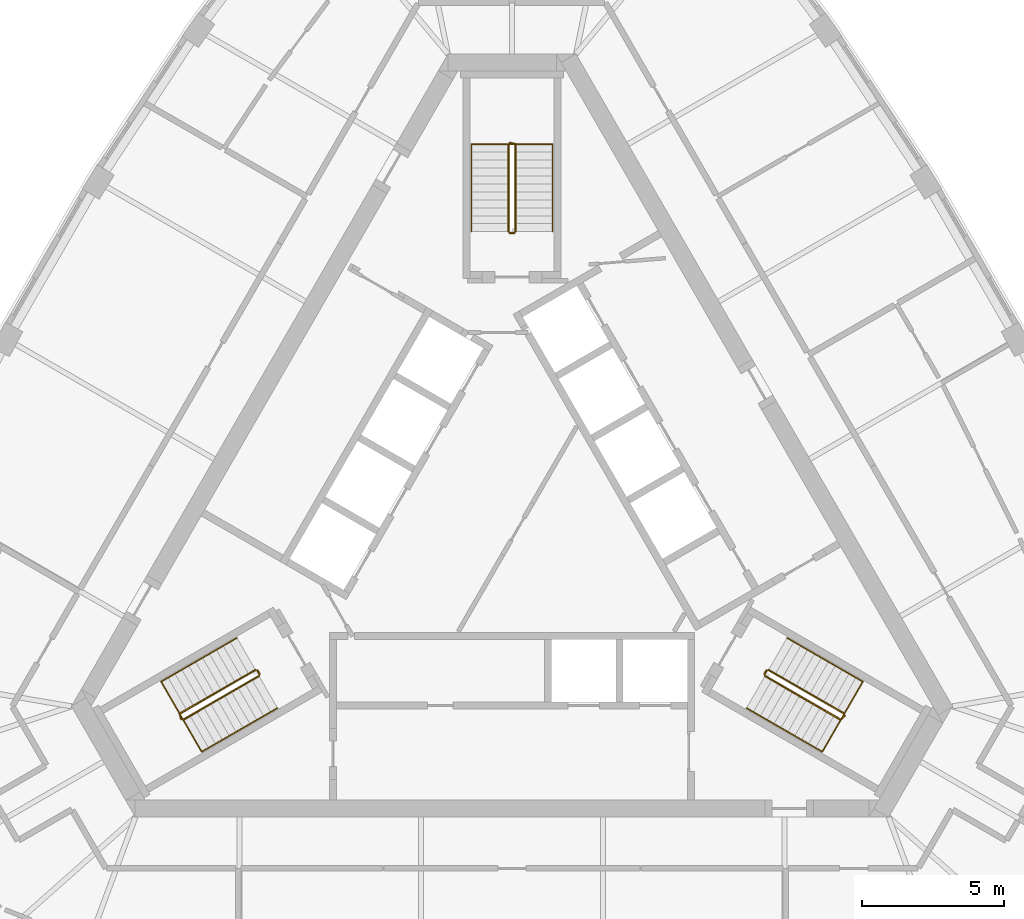
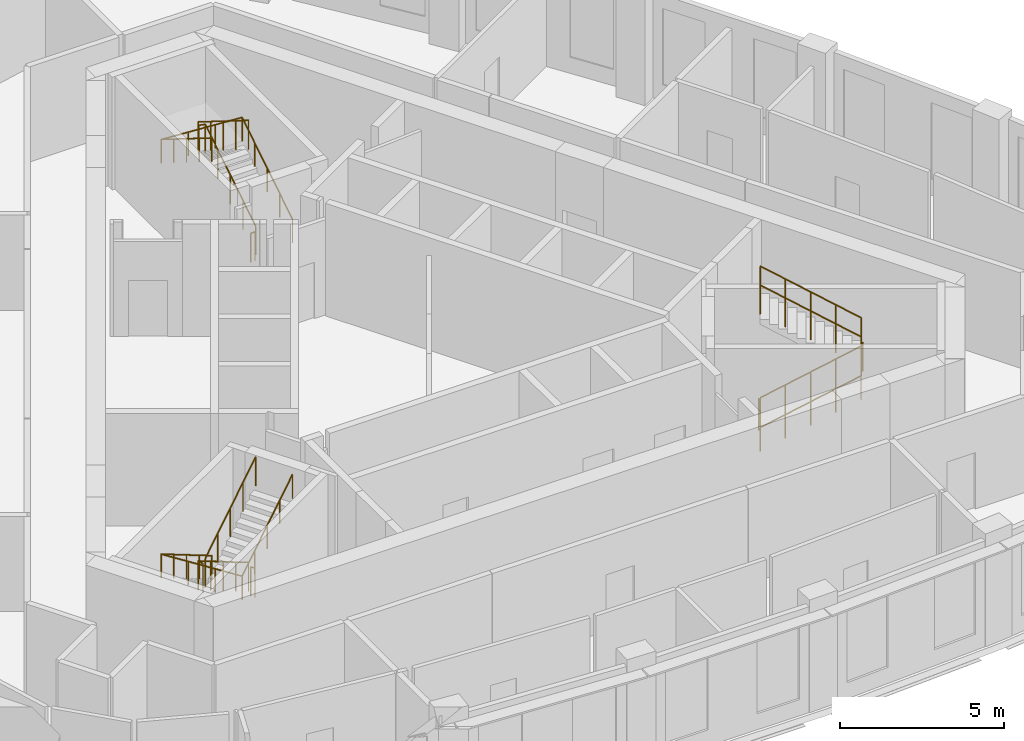
# One storey, part 10 of 10: 12 railings.
"""IFC4 building model written with IfcOpenShell, lengths in metres."""

import ifcopenshell
import ifcopenshell.guid

model = None  # the IFC model being written
_history = None  # IfcOwnerHistory: only IFC2X3 demands one
_inside = {}  # id of a spatial element -> (the spatial element, [elements in it])
_under = {}  # id of a project, library or spatial element -> (it, [spatial elements below it])
_declared = {}  # id of a project -> (the project, [libraries it declares])
_typed = {}  # id of a type object -> (the type object, [elements of that type])
_made_of = {}  # id of a material, layer set ... -> (it, [elements and type objects made of it])


def new_model(schema):
    """Start an empty IFC model of exactly this schema.

    Asked for "IFC4X3", IfcOpenShell would pick the latest addendum, in which some entities
    have other attributes; the version numbers below select the first issue.
    IFC2X3 requires an IfcOwnerHistory on every rooted entity: one is made here for all.
    """
    global model, _history
    if schema == "IFC4X3":
        model = ifcopenshell.file(schema_version=(4, 3, 0, 0))
    else:
        model = ifcopenshell.file(schema=schema)
    _inside.clear()
    _under.clear()
    _declared.clear()
    _typed.clear()
    _made_of.clear()
    _history = None
    if model.schema == "IFC2X3":
        org = make("IfcOrganization", Name="unknown")
        user = make(
            "IfcPersonAndOrganization",
            ThePerson=make("IfcPerson", FamilyName="unknown"),
            TheOrganization=org,
        )
        app = make(
            "IfcApplication",
            ApplicationDeveloper=org,
            Version="unknown",
            ApplicationFullName="unknown",
            ApplicationIdentifier="unknown",
        )
        _history = make(
            "IfcOwnerHistory",
            OwningUser=user,
            OwningApplication=app,
            ChangeAction="ADDED",
            CreationDate=0,
        )
    return model


def make(cls, **values):
    """One entity of the class cls with the attributes given. An attribute that is None is left unset."""
    return model.create_entity(
        cls, **{name: value for name, value in values.items() if value is not None}
    )


def rooted(cls, **values):
    """An entity with a GlobalId (a new one), such as an element, a storey or a relation."""
    return make(cls, GlobalId=ifcopenshell.guid.new(), OwnerHistory=_history, **values)


def si_unit(unit_type, name, prefix=None):
    """IfcSIUnit, for example si_unit("LENGTHUNIT", "METRE", prefix="MILLI")."""
    return make("IfcSIUnit", UnitType=unit_type, Prefix=prefix, Name=name)


def assignment(units):
    """IfcUnitAssignment: the units of a project."""
    return None if units is None else make("IfcUnitAssignment", Units=units)


def point(xyz):
    """IfcCartesianPoint."""
    return None if xyz is None else make("IfcCartesianPoint", Coordinates=xyz)


def direction(xyz):
    """IfcDirection."""
    return None if xyz is None else make("IfcDirection", DirectionRatios=xyz)


def frame(location, z_axis=None, x_axis=None):
    """IfcAxis2Placement3D, a coordinate frame: its origin and axes. An axis left out is left unset."""
    return make(
        "IfcAxis2Placement3D",
        Location=point(location),
        Axis=direction(z_axis),
        RefDirection=direction(x_axis),
    )


def frame_2d(location, x_axis=None):
    """IfcAxis2Placement2D, a coordinate frame in the plane: its origin and x axis."""
    return make(
        "IfcAxis2Placement2D", Location=point(location), RefDirection=direction(x_axis)
    )


def origin():
    """The frame at (0, 0, 0) with its axes left unset."""
    return frame((0.0, 0.0, 0.0))


def origin_2d():
    """The frame at (0, 0) in the plane with its x axis left unset."""
    return frame_2d((0.0, 0.0))


def place(relative_to, where):
    """IfcLocalPlacement: puts the frame where relative to a parent placement (None: the world)."""
    return make(
        "IfcLocalPlacement", PlacementRelTo=relative_to, RelativePlacement=where
    )


def context(
    kind, dimensions, precision=None, world=None, true_north=None, identifier=None
):
    """IfcGeometricRepresentationContext, for example the 3D "Model" context."""
    return make(
        "IfcGeometricRepresentationContext",
        ContextIdentifier=identifier,
        ContextType=kind,
        CoordinateSpaceDimension=dimensions,
        Precision=precision,
        WorldCoordinateSystem=world,
        TrueNorth=true_north,
    )


def subcontext(parent, identifier, kind, view, scale=None):
    """IfcGeometricRepresentationSubContext, for example "Body" below "Model"."""
    return make(
        "IfcGeometricRepresentationSubContext",
        ContextIdentifier=identifier,
        ContextType=kind,
        ParentContext=parent,
        TargetScale=scale,
        TargetView=view,
    )


def project(units=None, contexts=None):
    """IfcProject with its units and contexts."""
    return rooted(
        "IfcProject",
        Name="project",
        RepresentationContexts=contexts,
        UnitsInContext=assignment(units),
    )


def spatial(cls, under=None, at=None, **own):
    """A site, building, storey or space (cls), placed at a placement, below another one or the project."""
    s = rooted(cls, ObjectPlacement=at, **own)
    if under is not None:
        _under.setdefault(under.id(), (under, []))[1].append(s)
    return s


def profile(cls, at=None, kind="AREA", **sizes):
    """A parametric profile (cls). Its sizes go by their IFC names, for example OverallWidth=200.0."""
    return make(cls, ProfileType=kind, Position=at, **sizes)


def circle(**sizes):
    """IfcCircleProfileDef."""
    return profile("IfcCircleProfileDef", **sizes)


def extrude(swept, where, along, depth):
    """IfcExtrudedAreaSolid: the profile swept, set in the frame where, extruded along a direction by depth."""
    return make(
        "IfcExtrudedAreaSolid",
        SweptArea=swept,
        Position=where,
        ExtrudedDirection=direction(along),
        Depth=depth,
    )


def shape(context_of_items, identifier, shape_type, items):
    """IfcShapeRepresentation: the items that make up one representation, for example the "Body"."""
    return make(
        "IfcShapeRepresentation",
        ContextOfItems=context_of_items,
        RepresentationIdentifier=identifier,
        RepresentationType=shape_type,
        Items=items,
    )


def material(Name=None, Category=None):
    """IfcMaterial."""
    return make("IfcMaterial", Name=Name, Category=Category)


def made_of(thing, what):
    """Note that an element or type object is made of a material, layer set ...; save() writes the relation."""
    if what is not None:
        _made_of.setdefault(what.id(), (what, []))[1].append(thing)
    return thing


def type_object(cls, material=None, **own):
    """A type object (cls), such as IfcWallType, which elements share."""
    return made_of(rooted(cls, **own), material)


def element(
    cls,
    number,
    at=None,
    inside=None,
    cuts=None,
    type_object=None,
    material=None,
    context=None,
    identifier="Body",
    shape_type=None,
    held_by="IfcProductDefinitionShape",
    body=None,
    shapes=None,
    **own,
):
    """One element of the class cls, such as IfcWall. Its Tag is "e" and its number.

    at: its placement. inside: the storey or other place that contains it. cuts: it is an
    opening in that element (IfcRelVoidsElement). A single representation is given by context,
    identifier, shape_type and body (its items); several are given by shapes. held_by: the class
    of the entity that holds the representations. save() writes the other relations.
    """
    e = rooted(cls, Tag="e%d" % number, ObjectPlacement=at, **own)
    if body is not None:
        shapes = [shape(context, identifier, shape_type, body)]
    if shapes is not None:
        e.Representation = make(held_by, Representations=shapes)
    if inside is not None:
        _inside.setdefault(inside.id(), (inside, []))[1].append(e)
    if cuts is not None:
        rooted(
            "IfcRelVoidsElement", RelatingBuildingElement=cuts, RelatedOpeningElement=e
        )
    if type_object is not None:
        _typed.setdefault(type_object.id(), (type_object, []))[1].append(e)
    return made_of(e, material)


def aggregate(whole, parts):
    """IfcRelAggregates: a whole, such as a stair, and the parts it consists of."""
    return rooted("IfcRelAggregates", RelatingObject=whole, RelatedObjects=parts)


def save(model, path):
    """Write the relations noted so far, then the file.

    IfcRelAggregates (storeys below a building ...), IfcRelContainedInSpatialStructure (elements
    in a storey), IfcRelDefinesByType, IfcRelAssociatesMaterial and IfcRelDeclares: one each for
    every whole, place, type object, material and project.
    """
    for whole, parts in _under.values():
        aggregate(whole, parts)
    for where, things in _inside.values():
        rooted(
            "IfcRelContainedInSpatialStructure",
            RelatedElements=things,
            RelatingStructure=where,
        )
    for kind, things in _typed.values():
        rooted("IfcRelDefinesByType", RelatedObjects=things, RelatingType=kind)
    for what, things in _made_of.values():
        rooted("IfcRelAssociatesMaterial", RelatedObjects=things, RelatingMaterial=what)
    for by, libraries in _declared.values():
        rooted("IfcRelDeclares", RelatingContext=by, RelatedDefinitions=libraries)
    model.write(path)


model = new_model("IFC4")

# Units and contexts
model_context = context("Model", 3, precision=1e-05, world=origin(), true_north=direction((0.0, 1.0)))
body_context = subcontext(model_context, "Body", "Model", "MODEL_VIEW")
ifc_project = project(units=[si_unit("LENGTHUNIT", "METRE"), si_unit("AREAUNIT", "SQUARE_METRE"), si_unit("VOLUMEUNIT", "CUBIC_METRE"), si_unit("PLANEANGLEUNIT", "RADIAN"), si_unit("MASSUNIT", "GRAM", prefix="KILO")], contexts=[model_context])

# Site, building, storey
site_placement = place(None, origin())
site = spatial("IfcSite", under=ifc_project, at=site_placement, CompositionType="ELEMENT")
building_placement = place(site_placement, origin())
building = spatial("IfcBuilding", under=site, at=building_placement, Name="Mestral Congress Tower", CompositionType="ELEMENT")
storey_placement = place(building_placement, frame((0.0, 0.0, 313.199951171875)))
storey = spatial("IfcBuildingStorey", under=building, at=storey_placement, Name="L73", CompositionType="ELEMENT", Elevation=313.199951171875)

# Railings
ifc_material_1 = material(Name="Steel balustrade", Category="steel")
railing_type_1 = type_object("IfcRailingType", Name="Stair guard 1100", PredefinedType="GUARDRAIL", material=ifc_material_1)
railing_1_placement = place(storey_placement, frame((8.90087890625, -5.283203125, 0.175048828125)))
element("IfcRailing", 1, at=railing_1_placement, inside=storey, type_object=railing_type_1, Name="L73 ST1 stair guard 1", PredefinedType="GUARDRAIL", context=body_context, shape_type="SweptSolid", body=[
    extrude(circle(Radius=0.02392578125, at=origin_2d()), frame((0.0, 0.0, 1.076171875), z_axis=(0.734364028329, -0.424015404183, 0.530019255228), x_axis=(0.500026652407, 0.866010015463, 0.0)), (0.0, 0.0, 1.0), 3.632080078125),
    extrude(circle(Radius=0.02392578125, at=origin_2d()), frame((2.667236328125, -1.5400390625, 3.0009765625), z_axis=(0.695164929852, 0.718850276695, 0.0), x_axis=(-0.718850276695, 0.695164929852, 0.0)), (0.0, 0.0, 1.0), 0.2060546875),
    extrude(circle(Radius=0.02099609375, at=origin_2d()), origin(), (0.0, 0.0, 1.0), 1.052001953125),
    extrude(circle(Radius=0.02099609375, at=origin_2d()), frame((0.666748046875, -0.385009765625, 0.481201171875)), (0.0, 0.0, 1.0), 1.052001953125),
    extrude(circle(Radius=0.02099609375, at=origin_2d()), frame((1.33349609375, -0.77001953125, 0.96240234375)), (0.0, 0.0, 1.0), 1.052001953125),
    extrude(circle(Radius=0.02099609375, at=origin_2d()), frame((2.00048828125, -1.155029296875, 1.44384765625)), (0.0, 0.0, 1.0), 1.052001953125),
    extrude(circle(Radius=0.02099609375, at=origin_2d()), frame((2.667236328125, -1.5400390625, 1.925048828125)), (0.0, 0.0, 1.0), 1.052001953125),
    extrude(circle(Radius=0.02099609375, at=origin_2d()), frame((2.810546875, -1.391845703125, 1.925048828125)), (0.0, 0.0, 1.0), 1.052001953125),
])
railing_2_placement = place(storey_placement, frame((11.693115234375, -6.606689453125, 2.275146484375)))
element("IfcRailing", 2, at=railing_2_placement, inside=storey, type_object=railing_type_1, Name="L73 ST1 stair guard 2", PredefinedType="GUARDRAIL", context=body_context, shape_type="SweptSolid", body=[
    extrude(circle(Radius=0.02392578125, at=origin_2d()), frame((0.0, 0.0, 1.076171875), z_axis=(-0.734390191396, 0.42403051051, 0.529970917068), x_axis=(-0.500026652407, -0.866010015463, 0.0)), (0.0, 0.0, 1.0), 3.6318359375),
    extrude(circle(Radius=0.02099609375, at=origin_2d()), origin(), (0.0, 0.0, 1.0), 1.052001953125),
    extrude(circle(Radius=0.02099609375, at=origin_2d()), frame((-0.666748046875, 0.385009765625, 0.481201171875)), (0.0, 0.0, 1.0), 1.052001953125),
    extrude(circle(Radius=0.02099609375, at=origin_2d()), frame((-1.33349609375, 0.77001953125, 0.96240234375)), (0.0, 0.0, 1.0), 1.052001953125),
    extrude(circle(Radius=0.02099609375, at=origin_2d()), frame((-2.00048828125, 1.155029296875, 1.443603515625)), (0.0, 0.0, 1.0), 1.052001953125),
    extrude(circle(Radius=0.02099609375, at=origin_2d()), frame((-2.667236328125, 1.5400390625, 1.9248046875)), (0.0, 0.0, 1.0), 1.052001953125),
])
railing_3_placement = place(storey_placement, frame((8.882568359375, -5.21484375, 0.0)))
element("IfcRailing", 3, at=railing_3_placement, inside=storey, type_object=railing_type_1, Name="L73 ST1 stair guard 3", PredefinedType="GUARDRAIL", context=body_context, shape_type="SweptSolid", body=[
    extrude(circle(Radius=0.02392578125, at=origin_2d()), frame((0.0, 0.0, 1.076171875), z_axis=(0.499816412211, 0.866131372301, 0.0), x_axis=(-0.866131372301, 0.499816412211, 0.0)), (0.0, 0.0, 1.0), 0.14990234375),
    extrude(circle(Radius=0.02099609375, at=origin_2d()), origin(), (0.0, 0.0, 1.0), 1.052001953125),
    extrude(circle(Radius=0.02099609375, at=origin_2d()), frame((0.074951171875, 0.1298828125, 0.0)), (0.0, 0.0, 1.0), 1.052001953125),
])
railing_4_placement = place(storey_placement, frame((0.125, 10.35009765625, 0.175048828125)))
element("IfcRailing", 4, at=railing_4_placement, inside=storey, type_object=railing_type_1, Name="L73 ST2 stair guard 1", PredefinedType="GUARDRAIL", context=body_context, shape_type="SweptSolid", body=[
    extrude(circle(Radius=0.02392578125, at=origin_2d()), frame((0.0, 0.0, 1.076171875), z_axis=(0.0, 0.847979421464, 0.530029150871), x_axis=(-1.0, 0.0, 0.0)), (0.0, 0.0, 1.0), 3.632080078125),
    extrude(circle(Radius=0.02392578125, at=origin_2d()), frame((0.0, 3.079833984375, 3.0009765625), z_axis=(-0.970072785993, 0.242814311512, 0.0), x_axis=(-0.242814311512, -0.970072785993, 0.0)), (0.0, 0.0, 1.0), 0.2060546875),
    extrude(circle(Radius=0.02099609375, at=origin_2d()), origin(), (0.0, 0.0, 1.0), 1.052001953125),
    extrude(circle(Radius=0.02099609375, at=origin_2d()), frame((0.0, 0.77001953125, 0.481201171875)), (0.0, 0.0, 1.0), 1.052001953125),
    extrude(circle(Radius=0.02099609375, at=origin_2d()), frame((0.0, 1.5400390625, 0.96240234375)), (0.0, 0.0, 1.0), 1.052001953125),
    extrude(circle(Radius=0.02099609375, at=origin_2d()), frame((0.0, 2.309814453125, 1.44384765625)), (0.0, 0.0, 1.0), 1.052001953125),
    extrude(circle(Radius=0.02099609375, at=origin_2d()), frame((0.0, 3.079833984375, 1.925048828125)), (0.0, 0.0, 1.0), 1.052001953125),
    extrude(circle(Radius=0.02099609375, at=origin_2d()), frame((-0.199951171875, 3.1298828125, 1.925048828125)), (0.0, 0.0, 1.0), 1.052001953125),
])
railing_5_placement = place(storey_placement, frame((-0.125, 13.429931640625, 2.275146484375)))
element("IfcRailing", 5, at=railing_5_placement, inside=storey, type_object=railing_type_1, Name="L73 ST2 stair guard 2", PredefinedType="GUARDRAIL", context=body_context, shape_type="SweptSolid", body=[
    extrude(circle(Radius=0.02392578125, at=origin_2d()), frame((0.0, 0.0, 1.076171875), z_axis=(0.0, -0.848009633417, 0.529980812513), x_axis=(1.0, 0.0, 0.0)), (0.0, 0.0, 1.0), 3.6318359375),
    extrude(circle(Radius=0.02099609375, at=origin_2d()), origin(), (0.0, 0.0, 1.0), 1.052001953125),
    extrude(circle(Radius=0.02099609375, at=origin_2d()), frame((0.0, -0.77001953125, 0.481201171875)), (0.0, 0.0, 1.0), 1.052001953125),
    extrude(circle(Radius=0.02099609375, at=origin_2d()), frame((0.0, -1.5400390625, 0.96240234375)), (0.0, 0.0, 1.0), 1.052001953125),
    extrude(circle(Radius=0.02099609375, at=origin_2d()), frame((0.0, -2.309814453125, 1.443603515625)), (0.0, 0.0, 1.0), 1.052001953125),
    extrude(circle(Radius=0.02099609375, at=origin_2d()), frame((0.0, -3.079833984375, 1.9248046875)), (0.0, 0.0, 1.0), 1.052001953125),
])
railing_6_placement = place(storey_placement, frame((0.074951171875, 10.300048828125, 0.0)))
element("IfcRailing", 6, at=railing_6_placement, inside=storey, type_object=railing_type_1, Name="L73 ST2 stair guard 3", PredefinedType="GUARDRAIL", context=body_context, shape_type="SweptSolid", body=[
    extrude(circle(Radius=0.02392578125, at=origin_2d()), frame((0.0, 0.0, 1.076171875), z_axis=(-1.0, 0.0, 0.0), x_axis=(0.0, -1.0, 0.0)), (0.0, 0.0, 1.0), 0.14990234375),
    extrude(circle(Radius=0.02099609375, at=origin_2d()), origin(), (0.0, 0.0, 1.0), 1.052001953125),
    extrude(circle(Radius=0.02099609375, at=origin_2d()), frame((-0.14990234375, 0.0, 0.0)), (0.0, 0.0, 1.0), 1.052001953125),
])
railing_7_placement = place(storey_placement, frame((-9.02587890625, -5.066650390625, 0.175048828125)))
element("IfcRailing", 7, at=railing_7_placement, inside=storey, type_object=railing_type_1, Name="L73 ST3 stair guard 1", PredefinedType="GUARDRAIL", context=body_context, shape_type="SweptSolid", body=[
    extrude(circle(Radius=0.02392578125, at=origin_2d()), frame((0.0, 0.0, 1.076171875), z_axis=(-0.734364028329, -0.424015404183, 0.530019255228), x_axis=(0.500026652407, -0.866010015463, 0.0)), (0.0, 0.0, 1.0), 3.632080078125),
    extrude(circle(Radius=0.02392578125, at=origin_2d()), frame((-2.667236328125, -1.5400390625, 3.0009765625), z_axis=(0.274721127897, -0.961523947641, 0.0), x_axis=(0.961523947641, 0.274721127897, 0.0)), (0.0, 0.0, 1.0), 0.2060546875),
    extrude(circle(Radius=0.02099609375, at=origin_2d()), origin(), (0.0, 0.0, 1.0), 1.052001953125),
    extrude(circle(Radius=0.02099609375, at=origin_2d()), frame((-0.666748046875, -0.385009765625, 0.481201171875)), (0.0, 0.0, 1.0), 1.052001953125),
    extrude(circle(Radius=0.02099609375, at=origin_2d()), frame((-1.33349609375, -0.77001953125, 0.96240234375)), (0.0, 0.0, 1.0), 1.052001953125),
    extrude(circle(Radius=0.02099609375, at=origin_2d()), frame((-2.00048828125, -1.155029296875, 1.44384765625)), (0.0, 0.0, 1.0), 1.052001953125),
    extrude(circle(Radius=0.02099609375, at=origin_2d()), frame((-2.667236328125, -1.5400390625, 1.925048828125)), (0.0, 0.0, 1.0), 1.052001953125),
    extrude(circle(Radius=0.02099609375, at=origin_2d()), frame((-2.610595703125, -1.73828125, 1.925048828125)), (0.0, 0.0, 1.0), 1.052001953125),
])
railing_8_placement = place(storey_placement, frame((-11.568115234375, -6.8232421875, 2.275146484375)))
element("IfcRailing", 8, at=railing_8_placement, inside=storey, type_object=railing_type_1, Name="L73 ST3 stair guard 2", PredefinedType="GUARDRAIL", context=body_context, shape_type="SweptSolid", body=[
    extrude(circle(Radius=0.02392578125, at=origin_2d()), frame((0.0, 0.0, 1.076171875), z_axis=(0.734390191396, 0.42403051051, 0.529970917068), x_axis=(-0.500026652407, 0.866010015463, 0.0)), (0.0, 0.0, 1.0), 3.6318359375),
    extrude(circle(Radius=0.02099609375, at=origin_2d()), origin(), (0.0, 0.0, 1.0), 1.052001953125),
    extrude(circle(Radius=0.02099609375, at=origin_2d()), frame((0.666748046875, 0.385009765625, 0.481201171875)), (0.0, 0.0, 1.0), 1.052001953125),
    extrude(circle(Radius=0.02099609375, at=origin_2d()), frame((1.33349609375, 0.77001953125, 0.96240234375)), (0.0, 0.0, 1.0), 1.052001953125),
    extrude(circle(Radius=0.02099609375, at=origin_2d()), frame((2.00048828125, 1.155029296875, 1.443603515625)), (0.0, 0.0, 1.0), 1.052001953125),
    extrude(circle(Radius=0.02099609375, at=origin_2d()), frame((2.667236328125, 1.5400390625, 1.9248046875)), (0.0, 0.0, 1.0), 1.052001953125),
])
railing_9_placement = place(storey_placement, frame((-8.95751953125, -5.0849609375, 0.0)))
element("IfcRailing", 9, at=railing_9_placement, inside=storey, type_object=railing_type_1, Name="L73 ST3 stair guard 3", PredefinedType="GUARDRAIL", context=body_context, shape_type="SweptSolid", body=[
    extrude(circle(Radius=0.02392578125, at=origin_2d()), frame((0.0, 0.0, 1.076171875), z_axis=(0.499816412211, -0.866131372301, 0.0), x_axis=(0.866131372301, 0.499816412211, 0.0)), (0.0, 0.0, 1.0), 0.14990234375),
    extrude(circle(Radius=0.02099609375, at=origin_2d()), origin(), (0.0, 0.0, 1.0), 1.052001953125),
    extrude(circle(Radius=0.02099609375, at=origin_2d()), frame((0.074951171875, -0.1298828125, 0.0)), (0.0, 0.0, 1.0), 1.052001953125),
])
ifc_material_2 = material(Name="Steel handrail", Category="steel")
railing_type_2 = type_object("IfcRailingType", Name="Stair handrail 900", PredefinedType="HANDRAIL", material=ifc_material_2)
railing_10_placement = place(storey_placement, frame((8.2509765625, -6.4091796875, 0.175048828125)))
element("IfcRailing", 10, at=railing_10_placement, inside=storey, type_object=railing_type_2, Name="L73 ST1 stair handrail 1", PredefinedType="HANDRAIL", context=body_context, shape_type="SweptSolid", body=[
    extrude(circle(Radius=0.02392578125, at=origin_2d()), frame((0.0, 0.0, 0.8759765625), z_axis=(0.734384958227, -0.423960268333, 0.530034361155), x_axis=(0.499967199496, 0.866044340336, 0.0)), (0.0, 0.0, 1.0), 3.6318359375),
    extrude(circle(Radius=0.02392578125, at=origin_2d()), frame((2.667236328125, -1.539794921875, 2.80078125), z_axis=(0.499095769026, 0.864375386171, 0.061307463833), x_axis=(-0.866004402611, 0.500036373335, 0.0)), (0.0, 0.0, 1.0), 2.855224609375),
    extrude(circle(Radius=0.02392578125, at=origin_2d()), frame((4.09228515625, 0.92822265625, 2.97607421875), z_axis=(-0.734421155904, 0.424009578203, 0.529944755001), x_axis=(-0.499992328818, -0.866029832698, 0.0)), (0.0, 0.0, 1.0), 3.632080078125),
    extrude(circle(Radius=0.02099609375, at=origin_2d()), origin(), (0.0, 0.0, 1.0), 0.851806640625),
    extrude(circle(Radius=0.02099609375, at=origin_2d()), frame((0.666748046875, -0.385009765625, 0.481201171875)), (0.0, 0.0, 1.0), 0.851806640625),
    extrude(circle(Radius=0.02099609375, at=origin_2d()), frame((1.33349609375, -0.77001953125, 0.96240234375)), (0.0, 0.0, 1.0), 0.851806640625),
    extrude(circle(Radius=0.02099609375, at=origin_2d()), frame((2.00048828125, -1.15478515625, 1.44384765625)), (0.0, 0.0, 1.0), 0.851806640625),
    extrude(circle(Radius=0.02099609375, at=origin_2d()), frame((2.667236328125, -1.539794921875, 1.925048828125)), (0.0, 0.0, 1.0), 0.851806640625),
    extrude(circle(Radius=0.02099609375, at=origin_2d()), frame((3.142333984375, -0.717041015625, 1.9833984375)), (0.0, 0.0, 1.0), 0.851806640625),
    extrude(circle(Radius=0.02099609375, at=origin_2d()), frame((3.6171875, 0.10546875, 2.041748046875)), (0.0, 0.0, 1.0), 0.851806640625),
    extrude(circle(Radius=0.02099609375, at=origin_2d()), frame((4.09228515625, 0.92822265625, 2.10009765625)), (0.0, 0.0, 1.0), 0.851806640625),
    extrude(circle(Radius=0.02099609375, at=origin_2d()), frame((3.42529296875, 1.313232421875, 2.581298828125)), (0.0, 0.0, 1.0), 0.851806640625),
    extrude(circle(Radius=0.02099609375, at=origin_2d()), frame((2.758544921875, 1.6982421875, 3.0625)), (0.0, 0.0, 1.0), 0.851806640625),
    extrude(circle(Radius=0.02099609375, at=origin_2d()), frame((2.091796875, 2.083251953125, 3.543701171875)), (0.0, 0.0, 1.0), 0.851806640625),
    extrude(circle(Radius=0.02099609375, at=origin_2d()), frame((1.4248046875, 2.46826171875, 4.02490234375)), (0.0, 0.0, 1.0), 0.851806640625),
])
railing_11_placement = place(storey_placement, frame((1.425048828125, 10.35009765625, 0.175048828125)))
element("IfcRailing", 11, at=railing_11_placement, inside=storey, type_object=railing_type_2, Name="L73 ST2 stair handrail 1", PredefinedType="HANDRAIL", context=body_context, shape_type="SweptSolid", body=[
    extrude(circle(Radius=0.02392578125, at=origin_2d()), frame((0.0, 0.0, 0.8759765625), z_axis=(0.0, 0.847979421464, 0.530029150871), x_axis=(-1.0, 0.0, 0.0)), (0.0, 0.0, 1.0), 3.632080078125),
    extrude(circle(Radius=0.02392578125, at=origin_2d()), frame((0.0, 3.079833984375, 2.80078125), z_axis=(-0.998119201106, 0.0, 0.061303021003), x_axis=(0.0, -1.0, 0.0)), (0.0, 0.0, 1.0), 2.85546875),
    extrude(circle(Radius=0.02392578125, at=origin_2d()), frame((-2.85009765625, 3.079833984375, 2.97607421875), z_axis=(0.0, -0.848009633417, 0.529980812513), x_axis=(1.0, 0.0, 0.0)), (0.0, 0.0, 1.0), 3.6318359375),
    extrude(circle(Radius=0.02099609375, at=origin_2d()), origin(), (0.0, 0.0, 1.0), 0.851806640625),
    extrude(circle(Radius=0.02099609375, at=origin_2d()), frame((0.0, 0.77001953125, 0.481201171875)), (0.0, 0.0, 1.0), 0.851806640625),
    extrude(circle(Radius=0.02099609375, at=origin_2d()), frame((0.0, 1.5400390625, 0.96240234375)), (0.0, 0.0, 1.0), 0.851806640625),
    extrude(circle(Radius=0.02099609375, at=origin_2d()), frame((0.0, 2.309814453125, 1.44384765625)), (0.0, 0.0, 1.0), 0.851806640625),
    extrude(circle(Radius=0.02099609375, at=origin_2d()), frame((0.0, 3.079833984375, 1.925048828125)), (0.0, 0.0, 1.0), 0.851806640625),
    extrude(circle(Radius=0.02099609375, at=origin_2d()), frame((-0.949951171875, 3.079833984375, 1.9833984375)), (0.0, 0.0, 1.0), 0.851806640625),
    extrude(circle(Radius=0.02099609375, at=origin_2d()), frame((-1.900146484375, 3.079833984375, 2.041748046875)), (0.0, 0.0, 1.0), 0.851806640625),
    extrude(circle(Radius=0.02099609375, at=origin_2d()), frame((-2.85009765625, 3.079833984375, 2.10009765625)), (0.0, 0.0, 1.0), 0.851806640625),
    extrude(circle(Radius=0.02099609375, at=origin_2d()), frame((-2.85009765625, 2.309814453125, 2.581298828125)), (0.0, 0.0, 1.0), 0.851806640625),
    extrude(circle(Radius=0.02099609375, at=origin_2d()), frame((-2.85009765625, 1.5400390625, 3.0625)), (0.0, 0.0, 1.0), 0.851806640625),
    extrude(circle(Radius=0.02099609375, at=origin_2d()), frame((-2.85009765625, 0.77001953125, 3.543701171875)), (0.0, 0.0, 1.0), 0.851806640625),
    extrude(circle(Radius=0.02099609375, at=origin_2d()), frame((-2.85009765625, 0.0, 4.02490234375)), (0.0, 0.0, 1.0), 0.851806640625),
])
railing_12_placement = place(storey_placement, frame((-9.67578125, -3.94091796875, 0.175048828125)))
element("IfcRailing", 12, at=railing_12_placement, inside=storey, type_object=railing_type_2, Name="L73 ST3 stair handrail 1", PredefinedType="HANDRAIL", context=body_context, shape_type="SweptSolid", body=[
    extrude(circle(Radius=0.02392578125, at=origin_2d()), frame((0.0, 0.0, 0.8759765625), z_axis=(-0.734394994316, -0.423994474112, 0.52999309264), x_axis=(0.499992328818, -0.866029832698, 0.0)), (0.0, 0.0, 1.0), 3.63232421875),
    extrude(circle(Radius=0.02392578125, at=origin_2d()), frame((-2.66748046875, -1.5400390625, 2.80078125), z_axis=(0.499095769026, -0.864375386171, 0.061307463833), x_axis=(0.866004402611, 0.500036373335, 0.0)), (0.0, 0.0, 1.0), 2.855224609375),
    extrude(circle(Radius=0.02392578125, at=origin_2d()), frame((-1.242431640625, -4.008056640625, 2.97607421875), z_axis=(0.734411123532, 0.423975373557, 0.529986022693), x_axis=(-0.499967199496, 0.866044340336, 0.0)), (0.0, 0.0, 1.0), 3.6318359375),
    extrude(circle(Radius=0.02099609375, at=origin_2d()), origin(), (0.0, 0.0, 1.0), 0.851806640625),
    extrude(circle(Radius=0.02099609375, at=origin_2d()), frame((-0.6669921875, -0.385009765625, 0.481201171875)), (0.0, 0.0, 1.0), 0.851806640625),
    extrude(circle(Radius=0.02099609375, at=origin_2d()), frame((-1.333740234375, -0.77001953125, 0.96240234375)), (0.0, 0.0, 1.0), 0.851806640625),
    extrude(circle(Radius=0.02099609375, at=origin_2d()), frame((-2.00048828125, -1.155029296875, 1.44384765625)), (0.0, 0.0, 1.0), 0.851806640625),
    extrude(circle(Radius=0.02099609375, at=origin_2d()), frame((-2.66748046875, -1.5400390625, 1.925048828125)), (0.0, 0.0, 1.0), 0.851806640625),
    extrude(circle(Radius=0.02099609375, at=origin_2d()), frame((-2.1923828125, -2.36279296875, 1.9833984375)), (0.0, 0.0, 1.0), 0.851806640625),
    extrude(circle(Radius=0.02099609375, at=origin_2d()), frame((-1.717529296875, -3.185302734375, 2.041748046875)), (0.0, 0.0, 1.0), 0.851806640625),
    extrude(circle(Radius=0.02099609375, at=origin_2d()), frame((-1.242431640625, -4.008056640625, 2.10009765625)), (0.0, 0.0, 1.0), 0.851806640625),
    extrude(circle(Radius=0.02099609375, at=origin_2d()), frame((-0.57568359375, -3.623046875, 2.581298828125)), (0.0, 0.0, 1.0), 0.851806640625),
    extrude(circle(Radius=0.02099609375, at=origin_2d()), frame((0.09130859375, -3.23828125, 3.0625)), (0.0, 0.0, 1.0), 0.851806640625),
    extrude(circle(Radius=0.02099609375, at=origin_2d()), frame((0.758056640625, -2.853271484375, 3.543701171875)), (0.0, 0.0, 1.0), 0.851806640625),
    extrude(circle(Radius=0.02099609375, at=origin_2d()), frame((1.4248046875, -2.46826171875, 4.02490234375)), (0.0, 0.0, 1.0), 0.851806640625),
])

save(model, "model.ifc")
